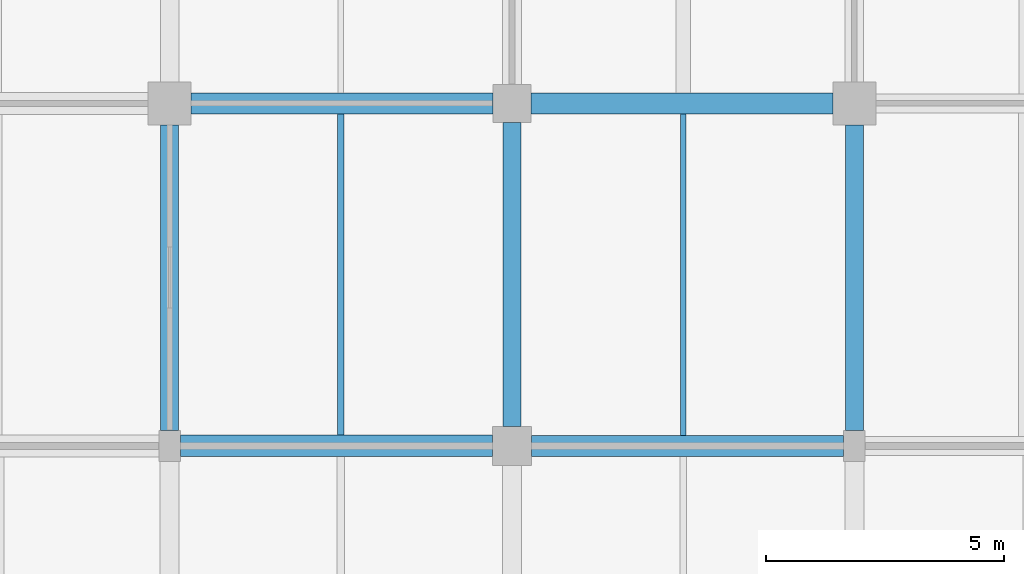
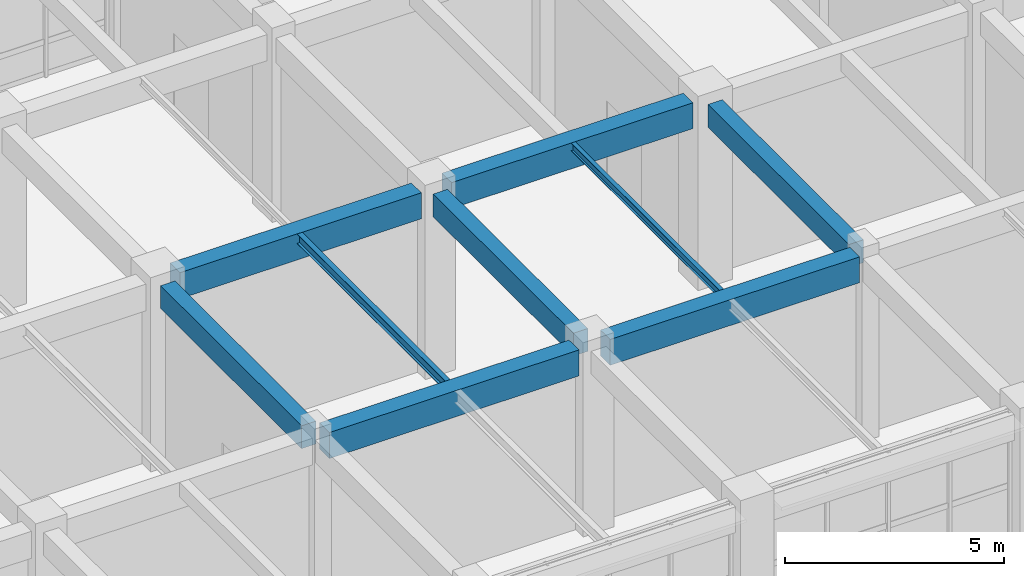
# One storey, part 84 of 160: 9 beams.
"""IFC4 building model written with IfcOpenShell, lengths in metres."""

from ifc_helpers import new_model, si_unit, direction, frame, origin, origin_2d, place, context, subcontext, project, spatial, rectangle, i_section, extrude, material, material_profile, profile_set, type_object, element, save


model = new_model("IFC4")

# Units and contexts
model_context = context("Model", 3, precision=1e-05, world=origin(), true_north=direction((0.0, 1.0)))
body_context = subcontext(model_context, "Body", "Model", "MODEL_VIEW")
ifc_project = project(units=[si_unit("LENGTHUNIT", "METRE"), si_unit("AREAUNIT", "SQUARE_METRE"), si_unit("VOLUMEUNIT", "CUBIC_METRE"), si_unit("PLANEANGLEUNIT", "RADIAN"), si_unit("MASSUNIT", "GRAM", prefix="KILO")], contexts=[model_context])

# Site, building, storey
site_placement = place(None, origin())
site = spatial("IfcSite", under=ifc_project, at=site_placement, CompositionType="ELEMENT")
building_placement = place(site_placement, origin())
building = spatial("IfcBuilding", under=site, at=building_placement, Name="Thalmaran Polytechnic", CompositionType="ELEMENT")
storey_placement = place(building_placement, origin())
storey = spatial("IfcBuildingStorey", under=building, at=storey_placement, Name="L00", CompositionType="ELEMENT", Elevation=0.0)

# Beams
ifc_material_1 = material(Name="Concrete C40/50", Category="concrete")
ifc_material_profile_1 = material_profile(ifc_material_1, rectangle(XDim=0.449951171875, YDim=0.72509765625, at=origin_2d()), Name="RC 450x725")
ifc_profile_set_1 = profile_set([ifc_material_profile_1], Name="Concrete C40/50")
beam_type_1 = type_object("IfcBeamType", Name="BM-RC04", PredefinedType="BEAM", material=ifc_profile_set_1)
beam_1_placement = place(storey_placement, frame((93.824951171875, 100.800048828125, 4.7275390625), z_axis=(1.0, 0.0, 0.0), x_axis=(0.0, 1.0, 0.0)))
element("IfcBeam", 1, at=beam_1_placement, inside=storey, type_object=beam_type_1, Name="Grid Beam B04 L00 X(13,14)", PredefinedType="BEAM", context=body_context, shape_type="SweptSolid", body=[
    extrude(rectangle(XDim=0.449951171875, YDim=0.72509765625, at=origin_2d()), origin(), (0.0, 0.0, 1.0), 6.56494140625),
])
beam_2_placement = place(storey_placement, frame((94.050048828125, 108.0, 4.7275390625), z_axis=(1.0, 0.0, 0.0), x_axis=(0.0, 1.0, 0.0)))
element("IfcBeam", 2, at=beam_2_placement, inside=storey, type_object=beam_type_1, Name="Grid Beam B04 L00 X(13,15)", PredefinedType="BEAM", context=body_context, shape_type="SweptSolid", body=[
    extrude(rectangle(XDim=0.449951171875, YDim=0.72509765625, at=origin_2d()), origin(), (0.0, 0.0, 1.0), 6.349853515625),
])
ifc_material_2 = material(Name="Steel S355", Category="steel")
ifc_material_profile_2 = material_profile(ifc_material_2, i_section(OverallWidth=0.135009765625, OverallDepth=0.27001953125, WebThickness=0.006591796875, FlangeThickness=0.01025390625, at=origin_2d()), Name="IPE 270")
ifc_profile_set_2 = profile_set([ifc_material_profile_2], Name="Steel S355")
beam_type_2 = type_object("IfcBeamType", Name="BM-SJ03", PredefinedType="JOIST", material=ifc_profile_set_2)
beam_3_placement = place(storey_placement, frame((97.199951171875, 101.02490234375, 4.955078125), z_axis=(0.0, 1.0, 0.0), x_axis=(-1.0, 0.0, 0.0)))
element("IfcBeam", 3, at=beam_3_placement, inside=storey, type_object=beam_type_2, Name="Secondary Floor Rib SJ03 L00 (13,14)", PredefinedType="JOIST", context=body_context, shape_type="SweptSolid", body=[
    extrude(i_section(OverallWidth=0.135009765625, OverallDepth=0.27001953125, WebThickness=0.006591796875, FlangeThickness=0.01025390625, at=origin_2d()), origin(), (0.0, 0.0, 1.0), 6.75),
])
ifc_material_profile_3 = material_profile(ifc_material_2, i_section(OverallWidth=0.110107421875, OverallDepth=0.219970703125, WebThickness=0.005859375, FlangeThickness=0.00927734375, at=origin_2d()), Name="IPE 220")
ifc_profile_set_3 = profile_set([ifc_material_profile_3], Name="Steel S355")
beam_type_3 = type_object("IfcBeamType", Name="BM-SJ04", PredefinedType="JOIST", material=ifc_profile_set_3)
beam_4_placement = place(storey_placement, frame((104.39990234375, 101.02001953125, 4.97998046875), z_axis=(0.0, 1.0, 0.0), x_axis=(-1.0, 0.0, 0.0)))
element("IfcBeam", 4, at=beam_4_placement, inside=storey, type_object=beam_type_3, Name="Secondary Floor Rib SJ04 L00 (14,14)", PredefinedType="JOIST", context=body_context, shape_type="SweptSolid", body=[
    extrude(i_section(OverallWidth=0.110107421875, OverallDepth=0.219970703125, WebThickness=0.005859375, FlangeThickness=0.00927734375, at=origin_2d()), origin(), (0.0, 0.0, 1.0), 6.760009765625),
])
ifc_material_profile_4 = material_profile(ifc_material_1, rectangle(XDim=0.43994140625, YDim=0.719970703125, at=origin_2d()), Name="RC 440x720")
ifc_profile_set_4 = profile_set([ifc_material_profile_4], Name="Concrete C40/50")
beam_type_4 = type_object("IfcBeamType", Name="BM-ZB03", PredefinedType="BEAM", material=ifc_profile_set_4)
beam_5_placement = place(storey_placement, frame((101.2099609375, 100.800048828125, 4.72998046875), z_axis=(1.0, 0.0, 0.0), x_axis=(0.0, 1.0, 0.0)))
element("IfcBeam", 5, at=beam_5_placement, inside=storey, type_object=beam_type_4, Name="Grid Beam ZB03 L00 X(14,14)", PredefinedType="BEAM", context=body_context, shape_type="SweptSolid", body=[
    extrude(rectangle(XDim=0.43994140625, YDim=0.719970703125, at=origin_2d()), origin(), (0.0, 0.0, 1.0), 6.56494140625),
])
beam_6_placement = place(storey_placement, frame((101.199951171875, 108.0, 4.72998046875), z_axis=(1.0, 0.0, 0.0), x_axis=(0.0, 1.0, 0.0)))
element("IfcBeam", 6, at=beam_6_placement, inside=storey, type_object=beam_type_4, Name="Grid Beam ZB03 L00 X(14,15)", PredefinedType="BEAM", context=body_context, shape_type="SweptSolid", body=[
    extrude(rectangle(XDim=0.43994140625, YDim=0.719970703125, at=origin_2d()), origin(), (0.0, 0.0, 1.0), 6.35009765625),
])
ifc_material_profile_5 = material_profile(ifc_material_1, rectangle(XDim=0.3798828125, YDim=0.635009765625, at=origin_2d()), Name="RC 380x635")
ifc_profile_set_5 = profile_set([ifc_material_profile_5], Name="Concrete C40/50")
beam_type_5 = type_object("IfcBeamType", Name="BM-ZB06", PredefinedType="BEAM", material=ifc_profile_set_5)
beam_7_placement = place(storey_placement, frame((93.60009765625, 101.125, 4.7724609375), z_axis=(0.0, 1.0, 0.0), x_axis=(-1.0, 0.0, 0.0)))
element("IfcBeam", 7, at=beam_7_placement, inside=storey, type_object=beam_type_5, Name="Grid Beam ZB06 L00 Y(13,14)", PredefinedType="BEAM", context=body_context, shape_type="SweptSolid", body=[
    extrude(rectangle(XDim=0.3798828125, YDim=0.635009765625, at=origin_2d()), origin(), (0.0, 0.0, 1.0), 6.425048828125),
])
beam_8_placement = place(storey_placement, frame((100.800048828125, 101.2099609375, 4.7724609375), z_axis=(0.0, 1.0, 0.0), x_axis=(-1.0, 0.0, 0.0)))
element("IfcBeam", 8, at=beam_8_placement, inside=storey, type_object=beam_type_5, Name="Grid Beam ZB06 L00 Y(14,14)", PredefinedType="BEAM", context=body_context, shape_type="SweptSolid", body=[
    extrude(rectangle(XDim=0.3798828125, YDim=0.635009765625, at=origin_2d()), origin(), (0.0, 0.0, 1.0), 6.39013671875),
])
beam_9_placement = place(storey_placement, frame((108.0, 101.125, 4.7724609375), z_axis=(0.0, 1.0, 0.0), x_axis=(-1.0, 0.0, 0.0)))
element("IfcBeam", 9, at=beam_9_placement, inside=storey, type_object=beam_type_5, Name="Grid Beam ZB06 L00 Y(15,14)", PredefinedType="BEAM", context=body_context, shape_type="SweptSolid", body=[
    extrude(rectangle(XDim=0.3798828125, YDim=0.635009765625, at=origin_2d()), origin(), (0.0, 0.0, 1.0), 6.425048828125),
])

save(model, "model.ifc")
